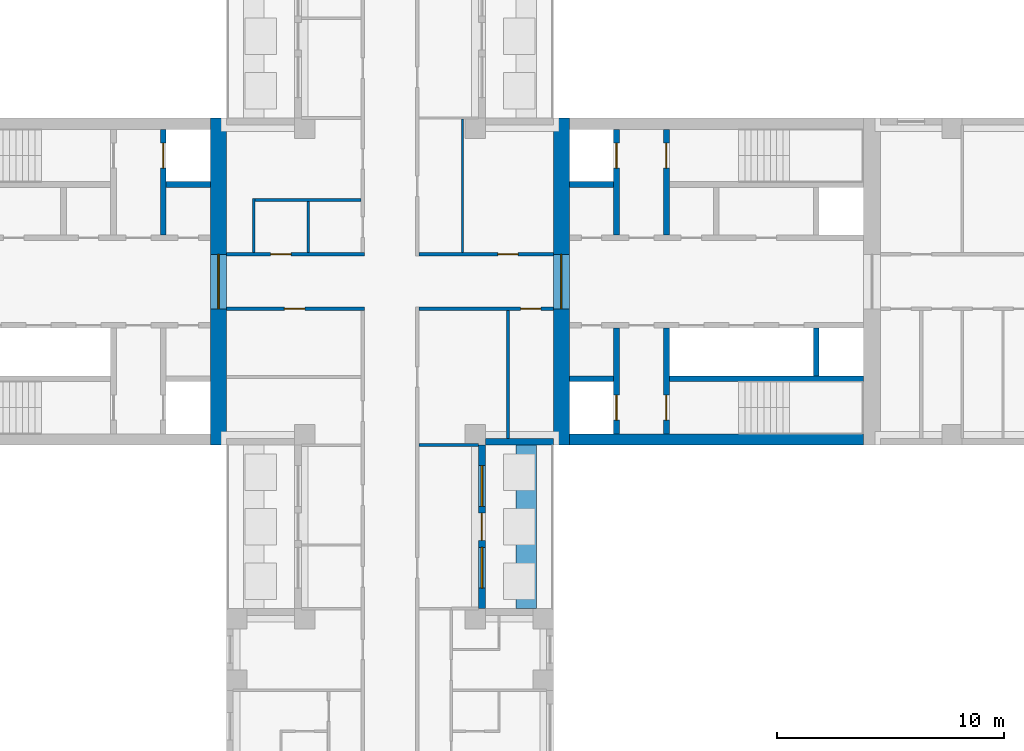
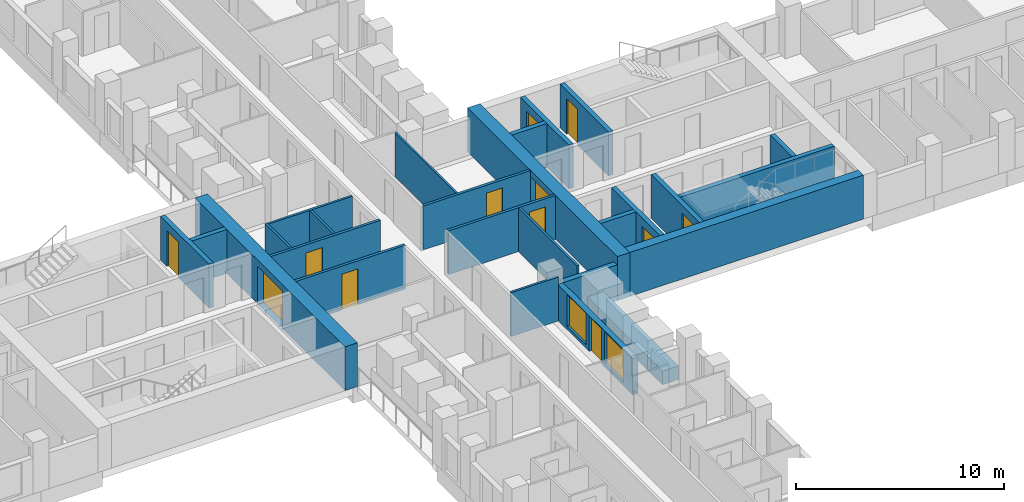
# One storey, part 8 of 16: 26 walls, 12 doors, 2 windows, 14 openings.
"""IFC4 building model written with IfcOpenShell, lengths in metres."""

from ifc_helpers import new_model, si_unit, direction, frame, frame_2d, origin, place, context, subcontext, project, spatial, rectangle, extrude, material, layer, layer_set, type_object, element, fill, save


model = new_model("IFC4")

# Units and contexts
model_context = context("Model", 3, precision=1e-05, world=origin(), true_north=direction((0.0, 1.0)))
body_context = subcontext(model_context, "Body", "Model", "MODEL_VIEW")
ifc_project = project(units=[si_unit("LENGTHUNIT", "METRE"), si_unit("AREAUNIT", "SQUARE_METRE"), si_unit("VOLUMEUNIT", "CUBIC_METRE"), si_unit("PLANEANGLEUNIT", "RADIAN"), si_unit("MASSUNIT", "GRAM", prefix="KILO")], contexts=[model_context])

# Site, building, storey
site_placement = place(None, origin())
site = spatial("IfcSite", under=ifc_project, at=site_placement, CompositionType="ELEMENT")
building_placement = place(site_placement, origin())
building = spatial("IfcBuilding", under=site, at=building_placement, Name="Fustian Cross Tower", CompositionType="ELEMENT")
storey_placement = place(building_placement, frame((0.0, 0.0, 23.699951171875)))
storey = spatial("IfcBuildingStorey", under=building, at=storey_placement, Name="L06", CompositionType="ELEMENT", Elevation=23.699951171875)

# Wall, opening, door
ifc_material_1 = material(Name="Plasterboard on steel stud", Category="steel")
ifc_layer_1 = layer(ifc_material_1, 0.14990234375)
ifc_layer_set_1 = layer_set([ifc_layer_1], Name="Plasterboard on steel stud")
wall_type_1 = type_object("IfcWallType", Name="COMPARTMENT WALL 150 EI 60", PredefinedType="PARTITIONING", material=ifc_layer_set_1)
wall_1_placement = place(storey_placement, frame((-7.199951171875, -1.199951171875, 0.0), z_axis=(0.0, 0.0, 1.0), x_axis=(1.0, 0.0, 0.0)))
wall_1 = element("IfcWall", 1, at=wall_1_placement, inside=storey, type_object=wall_type_1, Name="Partition 15", PredefinedType="PARTITIONING", context=body_context, shape_type="SweptSolid", body=[
    extrude(rectangle(XDim=6.074951171875, YDim=0.14990234375, at=frame_2d((3.03759765625, 0.0))), origin(), (0.0, 0.0, 1.0), 2.574951171875),
])
opening_1_placement = place(wall_1_placement, frame((2.550048828125, 0.0, 0.0)))
opening_1 = element("IfcOpeningElement", 2, at=opening_1_placement, cuts=wall_1, Name="Opening D05008", PredefinedType="OPENING", context=body_context, shape_type="SweptSolid", body=[
    extrude(rectangle(XDim=0.89990234375, YDim=2.10009765625, at=frame_2d((0.449951171875, 1.050048828125))), frame((0.0, 0.0849609375, 0.0), z_axis=(0.0, -1.0, 0.0), x_axis=(1.0, 0.0, 0.0)), (0.0, 0.0, 1.0), 0.169921875),
])
ifc_material_2 = material(Name="Timber fire door set", Category="wood")
door_type_1 = type_object("IfcDoorType", Name="FIRE SWING DOOR 900 FD30S", OperationType="SINGLE_SWING_LEFT", PredefinedType="DOOR", material=ifc_material_2)
door_1_placement = place(opening_1_placement, frame((0.89990234375, 0.0, 0.0), z_axis=(0.0, 0.0, 1.0), x_axis=(-1.0, 0.0, 0.0)))
door_1 = element("IfcDoor", 3, at=door_1_placement, inside=storey, type_object=door_type_1, Name="Door D05008", OperationType="SINGLE_SWING_RIGHT", OverallHeight=2.10009765625, OverallWidth=0.89990234375, PredefinedType="DOOR", context=body_context, shape_type="SweptSolid", body=[
    extrude(rectangle(XDim=0.89990234375, YDim=2.10009765625, at=frame_2d((0.449951171875, 1.050048828125))), frame((0.0, 0.02490234375, 0.0), z_axis=(0.0, -1.0, 0.0), x_axis=(1.0, 0.0, 0.0)), (0.0, 0.0, 1.0), 0.050048828125),
])
fill(opening_1, door_1)

wall_2_placement = place(storey_placement, frame((-7.199951171875, 1.199951171875, 0.0), z_axis=(0.0, 0.0, 1.0), x_axis=(1.0, 0.0, 0.0)))
wall_2 = element("IfcWall", 4, at=wall_2_placement, inside=storey, type_object=wall_type_1, Name="Partition 16", PredefinedType="PARTITIONING", context=body_context, shape_type="SweptSolid", body=[
    extrude(rectangle(XDim=6.074951171875, YDim=0.14990234375, at=frame_2d((3.03759765625, 0.0))), origin(), (0.0, 0.0, 1.0), 2.574951171875),
])
opening_2_placement = place(wall_2_placement, frame((1.949951171875, 0.0, 0.0)))
opening_2 = element("IfcOpeningElement", 5, at=opening_2_placement, cuts=wall_2, Name="Opening D05004", PredefinedType="OPENING", context=body_context, shape_type="SweptSolid", body=[
    extrude(rectangle(XDim=0.89990234375, YDim=2.10009765625, at=frame_2d((0.449951171875, 1.050048828125))), frame((0.0, 0.0849609375, 0.0), z_axis=(0.0, -1.0, 0.0), x_axis=(1.0, 0.0, 0.0)), (0.0, 0.0, 1.0), 0.169921875),
])
door_2_placement = place(opening_2_placement, origin())
door_2 = element("IfcDoor", 6, at=door_2_placement, inside=storey, type_object=door_type_1, Name="Door D05004", OperationType="SINGLE_SWING_LEFT", OverallHeight=2.10009765625, OverallWidth=0.89990234375, PredefinedType="DOOR", context=body_context, shape_type="SweptSolid", body=[
    extrude(rectangle(XDim=0.89990234375, YDim=2.10009765625, at=frame_2d((0.449951171875, 1.050048828125))), frame((0.0, 0.02490234375, 0.0), z_axis=(0.0, -1.0, 0.0), x_axis=(1.0, 0.0, 0.0)), (0.0, 0.0, 1.0), 0.050048828125),
])
fill(opening_2, door_2)

wall_3_placement = place(storey_placement, frame((1.27490234375, -1.199951171875, 0.0), z_axis=(0.0, 0.0, 1.0), x_axis=(1.0, 0.0, 0.0)))
wall_3 = element("IfcWall", 7, at=wall_3_placement, inside=storey, type_object=wall_type_1, Name="Partition 57", PredefinedType="PARTITIONING", context=body_context, shape_type="SweptSolid", body=[
    extrude(rectangle(XDim=5.925048828125, YDim=0.14990234375, at=frame_2d((2.96240234375, 0.0))), origin(), (0.0, 0.0, 1.0), 2.574951171875),
])
opening_3_placement = place(wall_3_placement, frame((4.47509765625, 0.0, 0.0)))
opening_3 = element("IfcOpeningElement", 8, at=opening_3_placement, cuts=wall_3, Name="Opening D05007", PredefinedType="OPENING", context=body_context, shape_type="SweptSolid", body=[
    extrude(rectangle(XDim=0.89990234375, YDim=2.10009765625, at=frame_2d((0.449951171875, 1.050048828125))), frame((0.0, 0.0849609375, 0.0), z_axis=(0.0, -1.0, 0.0), x_axis=(1.0, 0.0, 0.0)), (0.0, 0.0, 1.0), 0.169921875),
])
door_3_placement = place(opening_3_placement, frame((0.89990234375, 0.0, 0.0), z_axis=(0.0, 0.0, 1.0), x_axis=(-1.0, 0.0, 0.0)))
door_3 = element("IfcDoor", 9, at=door_3_placement, inside=storey, type_object=door_type_1, Name="Door D05007", OperationType="SINGLE_SWING_RIGHT", OverallHeight=2.10009765625, OverallWidth=0.89990234375, PredefinedType="DOOR", context=body_context, shape_type="SweptSolid", body=[
    extrude(rectangle(XDim=0.89990234375, YDim=2.10009765625, at=frame_2d((0.449951171875, 1.050048828125))), frame((0.0, 0.02490234375, 0.0), z_axis=(0.0, -1.0, 0.0), x_axis=(1.0, 0.0, 0.0)), (0.0, 0.0, 1.0), 0.050048828125),
])
fill(opening_3, door_3)

wall_4_placement = place(storey_placement, frame((1.27490234375, 1.199951171875, 0.0), z_axis=(0.0, 0.0, 1.0), x_axis=(1.0, 0.0, 0.0)))
wall_4 = element("IfcWall", 10, at=wall_4_placement, inside=storey, type_object=wall_type_1, Name="Partition 59", PredefinedType="PARTITIONING", context=body_context, shape_type="SweptSolid", body=[
    extrude(rectangle(XDim=5.925048828125, YDim=0.14990234375, at=frame_2d((2.96240234375, 0.0))), origin(), (0.0, 0.0, 1.0), 2.574951171875),
])
opening_4_placement = place(wall_4_placement, frame((3.47509765625, 0.0, 0.0)))
opening_4 = element("IfcOpeningElement", 11, at=opening_4_placement, cuts=wall_4, Name="Opening D05002", PredefinedType="OPENING", context=body_context, shape_type="SweptSolid", body=[
    extrude(rectangle(XDim=0.89990234375, YDim=2.10009765625, at=frame_2d((0.449951171875, 1.050048828125))), frame((0.0, 0.0849609375, 0.0), z_axis=(0.0, -1.0, 0.0), x_axis=(1.0, 0.0, 0.0)), (0.0, 0.0, 1.0), 0.169921875),
])
door_4_placement = place(opening_4_placement, origin())
door_4 = element("IfcDoor", 12, at=door_4_placement, inside=storey, type_object=door_type_1, Name="Door D05002", OperationType="SINGLE_SWING_LEFT", OverallHeight=2.10009765625, OverallWidth=0.89990234375, PredefinedType="DOOR", context=body_context, shape_type="SweptSolid", body=[
    extrude(rectangle(XDim=0.89990234375, YDim=2.10009765625, at=frame_2d((0.449951171875, 1.050048828125))), frame((0.0, 0.02490234375, 0.0), z_axis=(0.0, -1.0, 0.0), x_axis=(1.0, 0.0, 0.0)), (0.0, 0.0, 1.0), 0.050048828125),
])
fill(opening_4, door_4)

ifc_material_3 = material(Name="Concrete C80/95", Category="concrete")
ifc_layer_2 = layer(ifc_material_3, 0.699951171875)
ifc_layer_set_2 = layer_set([ifc_layer_2], Name="Concrete C80/95")
wall_type_2 = type_object("IfcWallType", Name="CORE END WALL 700 C80/95", PredefinedType="SHEAR", material=ifc_layer_set_2)
wall_5_placement = place(storey_placement, frame((7.550048828125, -7.199951171875, 0.0), z_axis=(0.0, 0.0, 1.0), x_axis=(0.0, 1.0, 0.0)))
wall_5 = element("IfcWall", 13, at=wall_5_placement, inside=storey, type_object=wall_type_2, Name="Core end wall", PredefinedType="SHEAR", context=body_context, shape_type="SweptSolid", body=[
    extrude(rectangle(XDim=14.39990234375, YDim=0.699951171875, at=frame_2d((7.199951171875, 0.0))), origin(), (0.0, 0.0, 1.0), 2.574951171875),
])
opening_5_placement = place(wall_5_placement, frame((6.0, 0.0, 0.0)))
opening_5 = element("IfcOpeningElement", 14, at=opening_5_placement, cuts=wall_5, Name="Opening CD-05-12", PredefinedType="OPENING", context=body_context, shape_type="SweptSolid", body=[
    extrude(rectangle(XDim=2.39990234375, YDim=2.199951171875, at=frame_2d((1.199951171875, 1.10009765625))), frame((0.0, 0.35986328125, 0.0), z_axis=(0.0, -1.0, 0.0), x_axis=(1.0, 0.0, 0.0)), (0.0, 0.0, 1.0), 0.719970703125),
])
ifc_material_4 = material(Name="Steel", Category="steel")
door_type_2 = type_object("IfcDoorType", Name="FIRE DOOR FD30S DOUBLE 2400X2200", OperationType="DOUBLE_DOOR_DOUBLE_SWING", PredefinedType="DOOR", material=ifc_material_4)
door_5_placement = place(opening_5_placement, frame((2.39990234375, 0.0, 0.0), z_axis=(0.0, 0.0, 1.0), x_axis=(-1.0, 0.0, 0.0)))
door_5 = element("IfcDoor", 15, at=door_5_placement, inside=storey, type_object=door_type_2, Name="Core door CD-05-12", OperationType="DOUBLE_DOOR_DOUBLE_SWING", OverallHeight=2.199951171875, OverallWidth=2.39990234375, PredefinedType="DOOR", context=body_context, shape_type="SweptSolid", body=[
    extrude(rectangle(XDim=2.39990234375, YDim=2.199951171875, at=frame_2d((1.199951171875, 1.10009765625))), frame((0.0, 0.02490234375, 0.0), z_axis=(0.0, -1.0, 0.0), x_axis=(1.0, 0.0, 0.0)), (0.0, 0.0, 1.0), 0.050048828125),
])
fill(opening_5, door_5)

wall_6_placement = place(storey_placement, frame((-7.550048828125, -7.199951171875, 0.0), z_axis=(0.0, 0.0, 1.0), x_axis=(0.0, 1.0, 0.0)))
wall_6 = element("IfcWall", 16, at=wall_6_placement, inside=storey, type_object=wall_type_2, Name="Core end wall", PredefinedType="SHEAR", context=body_context, shape_type="SweptSolid", body=[
    extrude(rectangle(XDim=14.39990234375, YDim=0.699951171875, at=frame_2d((7.199951171875, 0.0))), origin(), (0.0, 0.0, 1.0), 2.574951171875),
])
opening_6_placement = place(wall_6_placement, frame((6.0, 0.0, 0.0)))
opening_6 = element("IfcOpeningElement", 17, at=opening_6_placement, cuts=wall_6, Name="Opening CD-05-27", PredefinedType="OPENING", context=body_context, shape_type="SweptSolid", body=[
    extrude(rectangle(XDim=2.39990234375, YDim=2.199951171875, at=frame_2d((1.199951171875, 1.10009765625))), frame((0.0, 0.35986328125, 0.0), z_axis=(0.0, -1.0, 0.0), x_axis=(1.0, 0.0, 0.0)), (0.0, 0.0, 1.0), 0.719970703125),
])
door_6_placement = place(opening_6_placement, origin())
door_6 = element("IfcDoor", 18, at=door_6_placement, inside=storey, type_object=door_type_2, Name="Core door CD-05-27", OperationType="DOUBLE_DOOR_DOUBLE_SWING", OverallHeight=2.199951171875, OverallWidth=2.39990234375, PredefinedType="DOOR", context=body_context, shape_type="SweptSolid", body=[
    extrude(rectangle(XDim=2.39990234375, YDim=2.199951171875, at=frame_2d((1.199951171875, 1.10009765625))), frame((0.0, 0.02490234375, 0.0), z_axis=(0.0, -1.0, 0.0), x_axis=(1.0, 0.0, 0.0)), (0.0, 0.0, 1.0), 0.050048828125),
])
fill(opening_6, door_6)

# Walls
ifc_material_5 = material(Name="Concrete C80/95", Category="concrete")
ifc_layer_3 = layer(ifc_material_5, 0.5)
ifc_layer_set_3 = layer_set([ifc_layer_3], Name="Concrete C80/95")
wall_type_3 = type_object("IfcWallType", Name="CORE FACADE WALL 500 C80/95", PredefinedType="SHEAR", material=ifc_layer_set_3)
wall_7_placement = place(storey_placement, frame((7.89990234375, -6.949951171875, 0.0), z_axis=(0.0, 0.0, 1.0), x_axis=(1.0, 0.0, 0.0)))
element("IfcWall", 19, at=wall_7_placement, inside=storey, type_object=wall_type_3, Name="Core facade wall", PredefinedType="SHEAR", context=body_context, shape_type="SweptSolid", body=[
    extrude(rectangle(XDim=12.9501953125, YDim=0.5, at=frame_2d((6.47509765625, 0.0))), origin(), (0.0, 0.0, 1.0), 2.574951171875),
])
ifc_material_6 = material(Name="Concrete C50/60", Category="concrete")
ifc_layer_4 = layer(ifc_material_6, 0.25)
ifc_layer_set_4 = layer_set([ifc_layer_4], Name="Concrete C50/60")
wall_type_4 = type_object("IfcWallType", Name="CORE SHAFT WALL 250 C50/60", PredefinedType="SHEAR", material=ifc_layer_set_4)
wall_8_placement = place(storey_placement, frame((7.89990234375, 4.27490234375, 0.0), z_axis=(0.0, 0.0, 1.0), x_axis=(1.0, 0.0, 0.0)))
element("IfcWall", 20, at=wall_8_placement, inside=storey, type_object=wall_type_4, Name="Core shaft wall", PredefinedType="SHEAR", context=body_context, shape_type="SweptSolid", body=[
    extrude(rectangle(XDim=1.9501953125, YDim=0.25, at=frame_2d((0.97509765625, 0.0))), origin(), (0.0, 0.0, 1.0), 2.574951171875),
])

# Wall, opening, door
wall_9_placement = place(storey_placement, frame((9.97509765625, 2.050048828125, 0.0), z_axis=(0.0, 0.0, 1.0), x_axis=(0.0, 1.0, 0.0)))
wall_9 = element("IfcWall", 21, at=wall_9_placement, inside=storey, type_object=wall_type_4, Name="Core shaft wall", PredefinedType="SHEAR", context=body_context, shape_type="SweptSolid", body=[
    extrude(rectangle(XDim=4.64990234375, YDim=0.25, at=frame_2d((2.324951171875, 0.0))), origin(), (0.0, 0.0, 1.0), 2.574951171875),
])
opening_7_placement = place(wall_9_placement, frame((2.949951171875, 0.0, 0.0)))
opening_7 = element("IfcOpeningElement", 22, at=opening_7_placement, cuts=wall_9, Name="Opening LD", PredefinedType="OPENING", context=body_context, shape_type="SweptSolid", body=[
    extrude(rectangle(XDim=1.10009765625, YDim=2.10009765625, at=frame_2d((0.550048828125, 1.050048828125))), frame((0.0, 0.135009765625, 0.0), z_axis=(0.0, -1.0, 0.0), x_axis=(1.0, 0.0, 0.0)), (0.0, 0.0, 1.0), 0.27001953125),
])
ifc_material_7 = material(Name="Stainless steel", Category="steel")
door_type_3 = type_object("IfcDoorType", Name="LIFT LANDING DOOR 1100X2100", OperationType="SLIDING_TO_LEFT", PredefinedType="DOOR", material=ifc_material_7)
door_7_placement = place(opening_7_placement, origin())
door_7 = element("IfcDoor", 23, at=door_7_placement, inside=storey, type_object=door_type_3, Name="Landing door FL1", OperationType="SLIDING_TO_LEFT", OverallHeight=2.10009765625, OverallWidth=1.10009765625, PredefinedType="DOOR", context=body_context, shape_type="SweptSolid", body=[
    extrude(rectangle(XDim=1.10009765625, YDim=2.10009765625, at=frame_2d((0.550048828125, 1.050048828125))), frame((0.0, 0.02490234375, 0.0), z_axis=(0.0, -1.0, 0.0), x_axis=(1.0, 0.0, 0.0)), (0.0, 0.0, 1.0), 0.050048828125),
])
fill(opening_7, door_7)

wall_10_placement = place(storey_placement, frame((12.175048828125, 2.050048828125, 0.0), z_axis=(0.0, 0.0, 1.0), x_axis=(0.0, 1.0, 0.0)))
wall_10 = element("IfcWall", 24, at=wall_10_placement, inside=storey, type_object=wall_type_4, Name="Core shaft wall", PredefinedType="SHEAR", context=body_context, shape_type="SweptSolid", body=[
    extrude(rectangle(XDim=4.64990234375, YDim=0.25, at=frame_2d((2.324951171875, 0.0))), origin(), (0.0, 0.0, 1.0), 2.574951171875),
])
opening_8_placement = place(wall_10_placement, frame((2.949951171875, 0.0, 0.0)))
opening_8 = element("IfcOpeningElement", 25, at=opening_8_placement, cuts=wall_10, Name="Opening CD-05-06", PredefinedType="OPENING", context=body_context, shape_type="SweptSolid", body=[
    extrude(rectangle(XDim=1.10009765625, YDim=2.10009765625, at=frame_2d((0.550048828125, 1.050048828125))), frame((0.0, 0.135009765625, 0.0), z_axis=(0.0, -1.0, 0.0), x_axis=(1.0, 0.0, 0.0)), (0.0, 0.0, 1.0), 0.27001953125),
])
ifc_material_8 = material(Name="Steel", Category="steel")
door_type_4 = type_object("IfcDoorType", Name="FIRE DOOR FD60S 1100X2100", OperationType="SINGLE_SWING_LEFT", PredefinedType="DOOR", material=ifc_material_8)
door_8_placement = place(opening_8_placement, frame((1.10009765625, 0.0, 0.0), z_axis=(0.0, 0.0, 1.0), x_axis=(-1.0, 0.0, 0.0)))
door_8 = element("IfcDoor", 26, at=door_8_placement, inside=storey, type_object=door_type_4, Name="Core door CD-05-06", OperationType="SINGLE_SWING_RIGHT", OverallHeight=2.10009765625, OverallWidth=1.10009765625, PredefinedType="DOOR", context=body_context, shape_type="SweptSolid", body=[
    extrude(rectangle(XDim=1.10009765625, YDim=2.10009765625, at=frame_2d((0.550048828125, 1.050048828125))), frame((0.0, 0.02490234375, 0.0), z_axis=(0.0, -1.0, 0.0), x_axis=(1.0, 0.0, 0.0)), (0.0, 0.0, 1.0), 0.050048828125),
])
fill(opening_8, door_8)

# Walls
wall_11_placement = place(storey_placement, frame((7.89990234375, -4.27490234375, 0.0), z_axis=(0.0, 0.0, 1.0), x_axis=(1.0, 0.0, 0.0)))
element("IfcWall", 27, at=wall_11_placement, inside=storey, type_object=wall_type_4, Name="Core shaft wall", PredefinedType="SHEAR", context=body_context, shape_type="SweptSolid", body=[
    extrude(rectangle(XDim=1.9501953125, YDim=0.25, at=frame_2d((0.97509765625, 0.0))), origin(), (0.0, 0.0, 1.0), 2.574951171875),
])
wall_12_placement = place(storey_placement, frame((12.300048828125, -4.27490234375, 0.0), z_axis=(0.0, 0.0, 1.0), x_axis=(1.0, 0.0, 0.0)))
element("IfcWall", 28, at=wall_12_placement, inside=storey, type_object=wall_type_4, Name="Core shaft wall", PredefinedType="SHEAR", context=body_context, shape_type="SweptSolid", body=[
    extrude(rectangle(XDim=8.550048828125, YDim=0.25, at=frame_2d((4.27490234375, 0.0))), origin(), (0.0, 0.0, 1.0), 2.574951171875),
])

# Wall, opening, door
wall_13_placement = place(storey_placement, frame((9.97509765625, -2.050048828125, 0.0), z_axis=(0.0, 0.0, 1.0), x_axis=(0.0, -1.0, 0.0)))
wall_13 = element("IfcWall", 29, at=wall_13_placement, inside=storey, type_object=wall_type_4, Name="Core shaft wall", PredefinedType="SHEAR", context=body_context, shape_type="SweptSolid", body=[
    extrude(rectangle(XDim=4.64990234375, YDim=0.25, at=frame_2d((2.324951171875, 0.0))), origin(), (0.0, 0.0, 1.0), 2.574951171875),
])
opening_9_placement = place(wall_13_placement, frame((2.949951171875, 0.0, 0.0)))
opening_9 = element("IfcOpeningElement", 30, at=opening_9_placement, cuts=wall_13, Name="Opening LD", PredefinedType="OPENING", context=body_context, shape_type="SweptSolid", body=[
    extrude(rectangle(XDim=1.10009765625, YDim=2.10009765625, at=frame_2d((0.550048828125, 1.050048828125))), frame((0.0, 0.135009765625, 0.0), z_axis=(0.0, -1.0, 0.0), x_axis=(1.0, 0.0, 0.0)), (0.0, 0.0, 1.0), 0.27001953125),
])
door_9_placement = place(opening_9_placement, origin())
door_9 = element("IfcDoor", 31, at=door_9_placement, inside=storey, type_object=door_type_3, Name="Landing door SV1", OperationType="SLIDING_TO_LEFT", OverallHeight=2.10009765625, OverallWidth=1.10009765625, PredefinedType="DOOR", context=body_context, shape_type="SweptSolid", body=[
    extrude(rectangle(XDim=1.10009765625, YDim=2.10009765625, at=frame_2d((0.550048828125, 1.050048828125))), frame((0.0, 0.02490234375, 0.0), z_axis=(0.0, -1.0, 0.0), x_axis=(1.0, 0.0, 0.0)), (0.0, 0.0, 1.0), 0.050048828125),
])
fill(opening_9, door_9)

wall_14_placement = place(storey_placement, frame((12.175048828125, -2.050048828125, 0.0), z_axis=(0.0, 0.0, 1.0), x_axis=(0.0, -1.0, 0.0)))
wall_14 = element("IfcWall", 32, at=wall_14_placement, inside=storey, type_object=wall_type_4, Name="Core shaft wall", PredefinedType="SHEAR", context=body_context, shape_type="SweptSolid", body=[
    extrude(rectangle(XDim=4.64990234375, YDim=0.25, at=frame_2d((2.324951171875, 0.0))), origin(), (0.0, 0.0, 1.0), 2.574951171875),
])
opening_10_placement = place(wall_14_placement, frame((2.949951171875, 0.0, 0.0)))
opening_10 = element("IfcOpeningElement", 33, at=opening_10_placement, cuts=wall_14, Name="Opening CD-05-07", PredefinedType="OPENING", context=body_context, shape_type="SweptSolid", body=[
    extrude(rectangle(XDim=1.10009765625, YDim=2.10009765625, at=frame_2d((0.550048828125, 1.050048828125))), frame((0.0, 0.135009765625, 0.0), z_axis=(0.0, -1.0, 0.0), x_axis=(1.0, 0.0, 0.0)), (0.0, 0.0, 1.0), 0.27001953125),
])
door_10_placement = place(opening_10_placement, origin())
door_10 = element("IfcDoor", 34, at=door_10_placement, inside=storey, type_object=door_type_4, Name="Core door CD-05-07", OperationType="SINGLE_SWING_LEFT", OverallHeight=2.10009765625, OverallWidth=1.10009765625, PredefinedType="DOOR", context=body_context, shape_type="SweptSolid", body=[
    extrude(rectangle(XDim=1.10009765625, YDim=2.10009765625, at=frame_2d((0.550048828125, 1.050048828125))), frame((0.0, 0.02490234375, 0.0), z_axis=(0.0, -1.0, 0.0), x_axis=(1.0, 0.0, 0.0)), (0.0, 0.0, 1.0), 0.050048828125),
])
fill(opening_10, door_10)

# Wall
wall_15_placement = place(storey_placement, frame((-7.89990234375, 4.27490234375, 0.0), z_axis=(0.0, 0.0, 1.0), x_axis=(-1.0, 0.0, 0.0)))
element("IfcWall", 35, at=wall_15_placement, inside=storey, type_object=wall_type_4, Name="Core shaft wall", PredefinedType="SHEAR", context=body_context, shape_type="SweptSolid", body=[
    extrude(rectangle(XDim=1.9501953125, YDim=0.25, at=frame_2d((0.97509765625, 0.0))), origin(), (0.0, 0.0, 1.0), 2.574951171875),
])

# Wall, opening, door
wall_16_placement = place(storey_placement, frame((-9.97509765625, 2.050048828125, 0.0), z_axis=(0.0, 0.0, 1.0), x_axis=(0.0, 1.0, 0.0)))
wall_16 = element("IfcWall", 36, at=wall_16_placement, inside=storey, type_object=wall_type_4, Name="Core shaft wall", PredefinedType="SHEAR", context=body_context, shape_type="SweptSolid", body=[
    extrude(rectangle(XDim=4.64990234375, YDim=0.25, at=frame_2d((2.324951171875, 0.0))), origin(), (0.0, 0.0, 1.0), 2.574951171875),
])
opening_11_placement = place(wall_16_placement, frame((2.949951171875, 0.0, 0.0)))
opening_11 = element("IfcOpeningElement", 37, at=opening_11_placement, cuts=wall_16, Name="Opening LD", PredefinedType="OPENING", context=body_context, shape_type="SweptSolid", body=[
    extrude(rectangle(XDim=1.10009765625, YDim=2.10009765625, at=frame_2d((0.550048828125, 1.050048828125))), frame((0.0, 0.135009765625, 0.0), z_axis=(0.0, -1.0, 0.0), x_axis=(1.0, 0.0, 0.0)), (0.0, 0.0, 1.0), 0.27001953125),
])
door_11_placement = place(opening_11_placement, origin())
door_11 = element("IfcDoor", 38, at=door_11_placement, inside=storey, type_object=door_type_3, Name="Landing door FL1W", OperationType="SLIDING_TO_LEFT", OverallHeight=2.10009765625, OverallWidth=1.10009765625, PredefinedType="DOOR", context=body_context, shape_type="SweptSolid", body=[
    extrude(rectangle(XDim=1.10009765625, YDim=2.10009765625, at=frame_2d((0.550048828125, 1.050048828125))), frame((0.0, 0.02490234375, 0.0), z_axis=(0.0, -1.0, 0.0), x_axis=(1.0, 0.0, 0.0)), (0.0, 0.0, 1.0), 0.050048828125),
])
fill(opening_11, door_11)

# Walls
ifc_material_9 = material(Name="Plasterboard on steel stud", Category="steel")
ifc_layer_5 = layer(ifc_material_9, 0.10009765625)
ifc_layer_set_5 = layer_set([ifc_layer_5], Name="Plasterboard on steel stud")
wall_type_5 = type_object("IfcWallType", Name="PARTITION 100 STUD", PredefinedType="PARTITIONING", material=ifc_layer_set_5)
wall_17_placement = place(storey_placement, frame((3.199951171875, 1.27490234375, 0.0), z_axis=(0.0, 0.0, 1.0), x_axis=(0.0, 1.0, 0.0)))
element("IfcWall", 39, at=wall_17_placement, inside=storey, type_object=wall_type_5, Name="Partition 79", PredefinedType="PARTITIONING", context=body_context, shape_type="SweptSolid", body=[
    extrude(rectangle(XDim=5.875, YDim=0.10009765625, at=frame_2d((2.9375, 0.0))), origin(), (0.0, 0.0, 1.0), 2.574951171875),
])
ifc_material_10 = material(Name="Concrete C40/50", Category="concrete")
ifc_layer_6 = layer(ifc_material_10, 0.89990234375)
ifc_layer_set_6 = layer_set([ifc_layer_6], Name="Concrete C40/50")
wall_type_6 = type_object("IfcWallType", Name="PK1 PLANTER 900", PredefinedType="PARAPET", material=ifc_layer_set_6)
wall_18_placement = place(storey_placement, frame((6.0, -14.39990234375, 0.0), z_axis=(0.0, 0.0, 1.0), x_axis=(0.0, 1.0, 0.0)))
element("IfcWall", 40, at=wall_18_placement, inside=storey, type_object=wall_type_6, Name="PLANTER", PredefinedType="PARAPET", context=body_context, shape_type="SweptSolid", body=[
    extrude(rectangle(XDim=7.199951171875, YDim=0.89990234375, at=frame_2d((3.60009765625, 0.0))), origin(), (0.0, 0.0, 1.0), 0.800048828125),
])
ifc_material_11 = material(Name="Concrete C40/50", Category="concrete")
ifc_layer_7 = layer(ifc_material_11, 0.25)
ifc_layer_set_7 = layer_set([ifc_layer_7], Name="Concrete C40/50")
wall_type_7 = type_object("IfcWallType", Name="SHAFT PARTITION WALL 250 C40/50", PredefinedType="PARTITIONING", material=ifc_layer_set_7)
wall_19_placement = place(storey_placement, frame((18.77490234375, -2.050048828125, 0.0), z_axis=(0.0, 0.0, 1.0), x_axis=(0.0, -1.0, 0.0)))
element("IfcWall", 41, at=wall_19_placement, inside=storey, type_object=wall_type_7, Name="Core shaft wall", PredefinedType="PARTITIONING", context=body_context, shape_type="SweptSolid", body=[
    extrude(rectangle(XDim=2.099853515625, YDim=0.25, at=frame_2d((1.0498046875, 0.0))), origin(), (0.0, 0.0, 1.0), 2.574951171875),
])
ifc_material_12 = material(Name="Plasterboard on steel stud", Category="steel")
ifc_layer_8 = layer(ifc_material_12, 0.125)
ifc_layer_set_8 = layer_set([ifc_layer_8], Name="Plasterboard on steel stud")
wall_type_8 = type_object("IfcWallType", Name="WET WALL 125 STUD", PredefinedType="PARTITIONING", material=ifc_layer_set_8)
wall_20_placement = place(storey_placement, frame((-6.0, 1.27490234375, 0.0), z_axis=(0.0, 0.0, 1.0), x_axis=(0.0, 1.0, 0.0)))
element("IfcWall", 42, at=wall_20_placement, inside=storey, type_object=wall_type_8, Name="Partition 29", PredefinedType="PARTITIONING", context=body_context, shape_type="SweptSolid", body=[
    extrude(rectangle(XDim=2.3876953125, YDim=0.125, at=frame_2d((1.19384765625, 0.0))), origin(), (0.0, 0.0, 1.0), 2.574951171875),
])
wall_21_placement = place(storey_placement, frame((-5.9375, 3.60009765625, 0.0), z_axis=(0.0, 0.0, 1.0), x_axis=(1.0, 0.0, 0.0)))
element("IfcWall", 43, at=wall_21_placement, inside=storey, type_object=wall_type_8, Name="Partition 30", PredefinedType="PARTITIONING", context=body_context, shape_type="SweptSolid", body=[
    extrude(rectangle(XDim=4.66259765625, YDim=0.125, at=frame_2d((2.331298828125, 0.0))), origin(), (0.0, 0.0, 1.0), 2.574951171875),
])
wall_22_placement = place(storey_placement, frame((-3.60009765625, 1.27490234375, 0.0), z_axis=(0.0, 0.0, 1.0), x_axis=(0.0, 1.0, 0.0)))
element("IfcWall", 44, at=wall_22_placement, inside=storey, type_object=wall_type_8, Name="Partition 48", PredefinedType="PARTITIONING", context=body_context, shape_type="SweptSolid", body=[
    extrude(rectangle(XDim=2.2626953125, YDim=0.125, at=frame_2d((1.13134765625, 0.0))), origin(), (0.0, 0.0, 1.0), 2.574951171875),
])
wall_23_placement = place(storey_placement, frame((1.27490234375, -7.199951171875, 0.0), z_axis=(0.0, 0.0, 1.0), x_axis=(1.0, 0.0, 0.0)))
element("IfcWall", 45, at=wall_23_placement, inside=storey, type_object=wall_type_8, Name="Partition 56", PredefinedType="PARTITIONING", context=body_context, shape_type="SweptSolid", body=[
    extrude(rectangle(XDim=2.625, YDim=0.125, at=frame_2d((1.3125, 0.0))), origin(), (0.0, 0.0, 1.0), 2.574951171875),
])
wall_24_placement = place(storey_placement, frame((5.199951171875, -6.89990234375, 0.0), z_axis=(0.0, 0.0, 1.0), x_axis=(0.0, 1.0, 0.0)))
element("IfcWall", 46, at=wall_24_placement, inside=storey, type_object=wall_type_8, Name="Partition 91", PredefinedType="PARTITIONING", context=body_context, shape_type="SweptSolid", body=[
    extrude(rectangle(XDim=5.625, YDim=0.125, at=frame_2d((2.8125, 0.0))), origin(), (0.0, 0.0, 1.0), 2.574951171875),
])

# Wall, openings, door, windows
ifc_material_13 = material(Name="Dark aluminium cladding on insulated backing wall", Category="aluminium")
ifc_layer_9 = layer(ifc_material_13, 0.300048828125)
ifc_layer_set_9 = layer_set([ifc_layer_9], Name="Dark aluminium cladding on insulated backing wall")
wall_type_9 = type_object("IfcWallType", Name="XW1 EXTERNAL WALL 300", PredefinedType="SOLIDWALL", material=ifc_layer_set_9)
wall_25_placement = place(storey_placement, frame((4.050048828125, -14.39990234375, 0.0), z_axis=(0.0, 0.0, 1.0), x_axis=(0.0, 1.0, 0.0)))
wall_25 = element("IfcWall", 47, at=wall_25_placement, inside=storey, type_object=wall_type_9, Name="External wall", PredefinedType="SOLIDWALL", context=body_context, shape_type="SweptSolid", body=[
    extrude(rectangle(XDim=7.199951171875, YDim=0.300048828125, at=frame_2d((3.60009765625, 0.0))), origin(), (0.0, 0.0, 1.0), 2.10009765625),
])
opening_12_placement = place(wall_25_placement, frame((3.0, 0.0, 0.0)))
opening_12 = element("IfcOpeningElement", 48, at=opening_12_placement, cuts=wall_25, Name="Opening XD3", PredefinedType="OPENING", context=body_context, shape_type="SweptSolid", body=[
    extrude(rectangle(XDim=1.199951171875, YDim=2.050048828125, at=frame_2d((0.60009765625, 1.02490234375))), frame((0.0, 0.159912109375, 0.0), z_axis=(0.0, -1.0, 0.0), x_axis=(1.0, 0.0, 0.0)), (0.0, 0.0, 1.0), 0.320068359375),
])
opening_13_placement = place(wall_25_placement, frame((0.89990234375, 0.0, 0.199951171875)))
opening_13 = element("IfcOpeningElement", 49, at=opening_13_placement, cuts=wall_25, Name="Opening WN2", PredefinedType="OPENING", context=body_context, shape_type="SweptSolid", body=[
    extrude(rectangle(XDim=1.800048828125, YDim=1.85009765625, at=frame_2d((0.89990234375, 0.925048828125))), frame((0.0, 0.159912109375, 0.0), z_axis=(0.0, -1.0, 0.0), x_axis=(1.0, 0.0, 0.0)), (0.0, 0.0, 1.0), 0.320068359375),
])
opening_14_placement = place(wall_25_placement, frame((4.5, 0.0, 0.199951171875)))
opening_14 = element("IfcOpeningElement", 50, at=opening_14_placement, cuts=wall_25, Name="Opening WN2", PredefinedType="OPENING", context=body_context, shape_type="SweptSolid", body=[
    extrude(rectangle(XDim=1.800048828125, YDim=1.85009765625, at=frame_2d((0.89990234375, 0.925048828125))), frame((0.0, 0.159912109375, 0.0), z_axis=(0.0, -1.0, 0.0), x_axis=(1.0, 0.0, 0.0)), (0.0, 0.0, 1.0), 0.320068359375),
])
ifc_material_14 = material(Name="Dark anodised aluminium and double glazing", Category="aluminium")
door_type_5 = type_object("IfcDoorType", Name="ED1 BALCONY DOOR 1200X2050", OperationType="SINGLE_SWING_LEFT", PredefinedType="DOOR", material=ifc_material_14)
door_12_placement = place(opening_12_placement, origin())
door_12 = element("IfcDoor", 51, at=door_12_placement, inside=storey, type_object=door_type_5, Name="Balcony door", OperationType="SINGLE_SWING_LEFT", OverallHeight=2.050048828125, OverallWidth=1.199951171875, PredefinedType="DOOR", context=body_context, shape_type="SweptSolid", body=[
    extrude(rectangle(XDim=1.199951171875, YDim=2.050048828125, at=frame_2d((0.60009765625, 1.02490234375))), frame((0.0, 0.02490234375, 0.0), z_axis=(0.0, -1.0, 0.0), x_axis=(1.0, 0.0, 0.0)), (0.0, 0.0, 1.0), 0.050048828125),
])
fill(opening_12, door_12)
ifc_material_15 = material(Name="Dark anodised aluminium and double glazing", Category="aluminium")
window_type = type_object("IfcWindowType", Name="WN2 WINDOW 1800X1850", PartitioningType="SINGLE_PANEL", PredefinedType="WINDOW", material=ifc_material_15)
window_1_placement = place(opening_13_placement, origin())
window_1 = element("IfcWindow", 52, at=window_1_placement, inside=storey, type_object=window_type, Name="Window", OverallHeight=1.85009765625, OverallWidth=1.800048828125, PartitioningType="SINGLE_PANEL", PredefinedType="WINDOW", context=body_context, shape_type="SweptSolid", body=[
    extrude(rectangle(XDim=1.800048828125, YDim=1.85009765625, at=frame_2d((0.89990234375, 0.925048828125))), frame((0.0, 0.030029296875, 0.0), z_axis=(0.0, -1.0, 0.0), x_axis=(1.0, 0.0, 0.0)), (0.0, 0.0, 1.0), 0.06005859375),
])
fill(opening_13, window_1)
window_2_placement = place(opening_14_placement, origin())
window_2 = element("IfcWindow", 53, at=window_2_placement, inside=storey, type_object=window_type, Name="Window", OverallHeight=1.85009765625, OverallWidth=1.800048828125, PartitioningType="SINGLE_PANEL", PredefinedType="WINDOW", context=body_context, shape_type="SweptSolid", body=[
    extrude(rectangle(XDim=1.800048828125, YDim=1.85009765625, at=frame_2d((0.89990234375, 0.925048828125))), frame((0.0, 0.030029296875, 0.0), z_axis=(0.0, -1.0, 0.0), x_axis=(1.0, 0.0, 0.0)), (0.0, 0.0, 1.0), 0.06005859375),
])
fill(opening_14, window_2)

# Wall
wall_26_placement = place(storey_placement, frame((4.199951171875, -7.050048828125, 0.0), z_axis=(0.0, 0.0, 1.0), x_axis=(1.0, 0.0, 0.0)))
element("IfcWall", 54, at=wall_26_placement, inside=storey, type_object=wall_type_9, Name="External wall", PredefinedType="SOLIDWALL", context=body_context, shape_type="SweptSolid", body=[
    extrude(rectangle(XDim=3.0, YDim=0.300048828125, at=frame_2d((1.5, 0.0))), origin(), (0.0, 0.0, 1.0), 2.10009765625),
])

save(model, "model.ifc")
